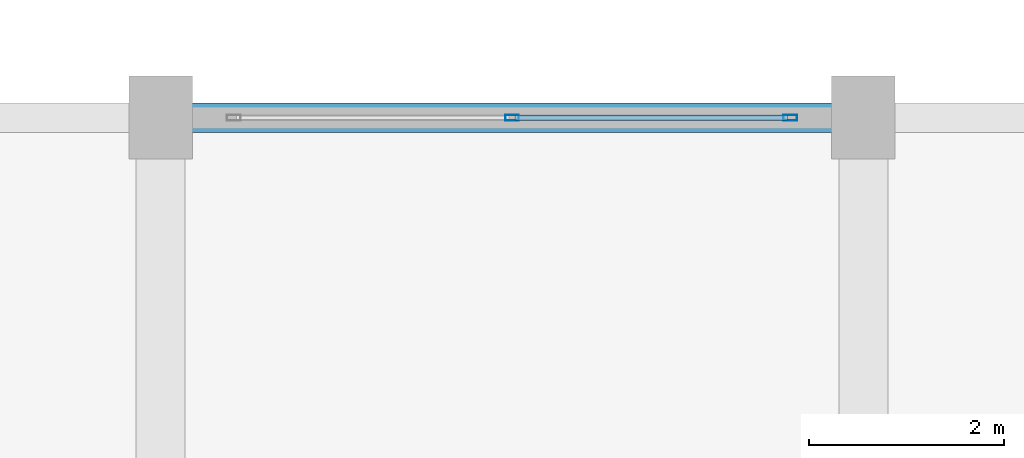
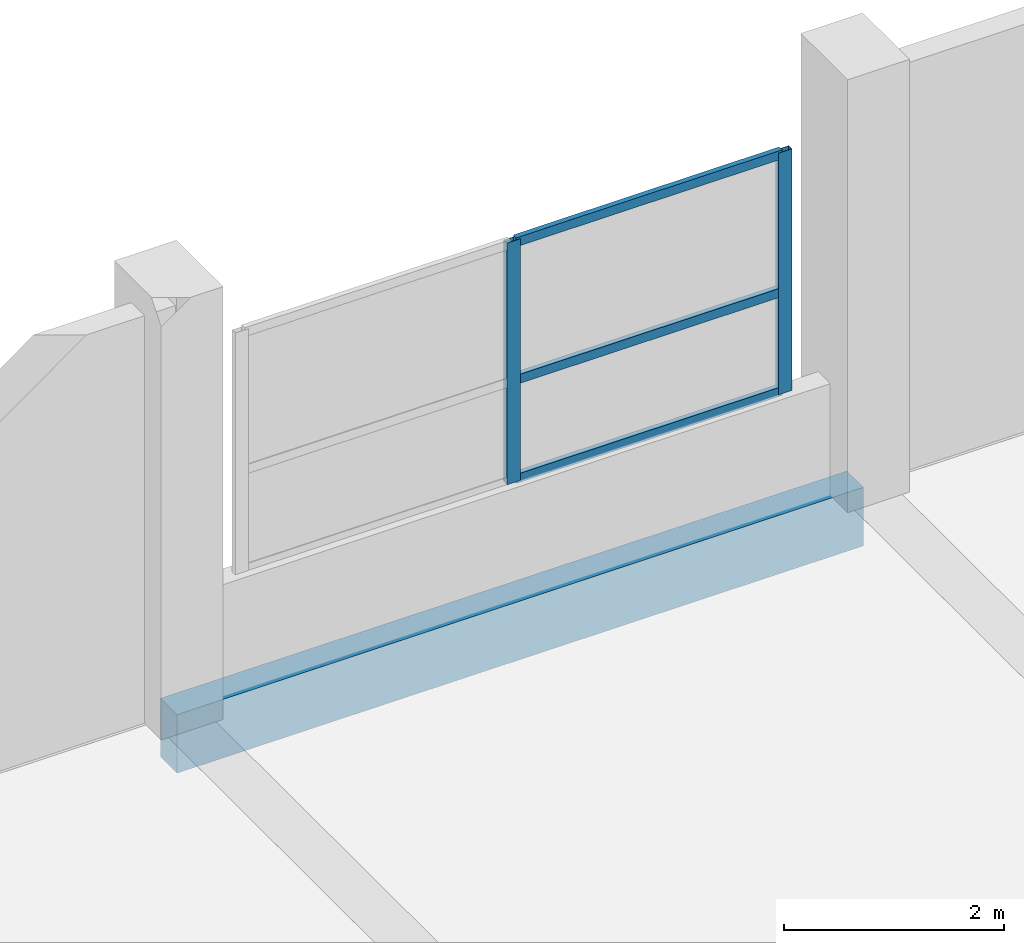
# One storey, part 144 of 181: 5 members, 1 beam, 1 element without a shape of its own.
"""IFC4 building model written with IfcOpenShell, lengths in metres."""

from ifc_helpers import new_model, si_unit, direction, frame, origin, origin_2d, place, context, subcontext, project, spatial, rectangle, hollow_rectangle, extrude, material, layer, layer_set, material_profile, profile_set, type_object, element, aggregate, save


model = new_model("IFC4")

# Units and contexts
model_context = context("Model", 3, precision=1e-05, world=origin(), true_north=direction((0.0, 1.0)))
body_context = subcontext(model_context, "Body", "Model", "MODEL_VIEW")
ifc_project = project(units=[si_unit("LENGTHUNIT", "METRE"), si_unit("AREAUNIT", "SQUARE_METRE"), si_unit("VOLUMEUNIT", "CUBIC_METRE"), si_unit("PLANEANGLEUNIT", "RADIAN"), si_unit("MASSUNIT", "GRAM", prefix="KILO")], contexts=[model_context])

# Site, building, storey
site_placement = place(None, origin())
site = spatial("IfcSite", under=ifc_project, at=site_placement, CompositionType="ELEMENT")
building_placement = place(site_placement, origin())
building = spatial("IfcBuilding", under=site, at=building_placement, Name="Seraya Terrace Polytechnic", CompositionType="ELEMENT")
storey_placement = place(building_placement, frame((0.0, 0.0, 4.800048828125)))
storey = spatial("IfcBuildingStorey", under=building, at=storey_placement, Name="L01", CompositionType="ELEMENT", Elevation=4.800048828125)

# Curtain wall, members
ifc_material_1 = material(Name="Anodised aluminium EN AW-6063 T6", Category="aluminium")
ifc_layer = layer(ifc_material_1, 0.179931640625, Name="CW-18")
ifc_layer_set = layer_set([ifc_layer], Name="Anodised aluminium EN AW-6063 T6")
curtain_wall_type = type_object("IfcCurtainWallType", Name="CW-18", PredefinedType="NOTDEFINED", material=ifc_layer_set)
curtain_wall_placement = place(storey_placement, origin())
curtain_wall = element("IfcCurtainWall", 1, at=curtain_wall_placement, inside=storey, type_object=curtain_wall_type, Name="Unitised curtain wall CW-18 (CW-L01-018)", PredefinedType="NOTDEFINED")
ifc_material_profile_1 = material_profile(ifc_material_1, hollow_rectangle(XDim=0.06005859375, YDim=0.139892578125, WallThickness=0.00341796875, at=origin_2d()), Name="RHS 140x60x3.5")
ifc_profile_set_1 = profile_set([ifc_material_profile_1], Name="Anodised aluminium EN AW-6063 T6")
member_type_1 = type_object("IfcMemberType", Name="CWM-03", PredefinedType="MULLION", material=ifc_profile_set_1)
member_1_placement = place(storey_placement, frame((147.60009765625, 115.199951171875, 1.239990234375), z_axis=(0.0, 0.0, 1.0), x_axis=(0.0, 1.0, 0.0)))
member_1 = element("IfcMember", 2, at=member_1_placement, type_object=member_type_1, Name="CW-18 mullion 2", PredefinedType="MULLION", context=body_context, shape_type="SweptSolid", body=[
    extrude(hollow_rectangle(XDim=0.06005859375, YDim=0.139892578125, WallThickness=0.00341796875, at=origin_2d()), origin(), (0.0, 0.0, 1.0), 2.679931640625),
])
member_2_placement = place(storey_placement, frame((150.449951171875, 115.199951171875, 1.239990234375), z_axis=(0.0, 0.0, 1.0), x_axis=(0.0, 1.0, 0.0)))
member_2 = element("IfcMember", 3, at=member_2_placement, type_object=member_type_1, Name="CW-18 mullion 3", PredefinedType="MULLION", context=body_context, shape_type="SweptSolid", body=[
    extrude(hollow_rectangle(XDim=0.06005859375, YDim=0.139892578125, WallThickness=0.00341796875, at=origin_2d()), origin(), (0.0, 0.0, 1.0), 2.679931640625),
])
ifc_material_profile_2 = material_profile(ifc_material_1, hollow_rectangle(XDim=0.054931640625, YDim=0.10009765625, WallThickness=0.0029296875, at=origin_2d()), Name="RHS 100x55x3.0")
ifc_profile_set_2 = profile_set([ifc_material_profile_2], Name="Anodised aluminium EN AW-6063 T6")
member_type_2 = type_object("IfcMemberType", Name="CWT-03", PredefinedType="USERDEFINED", material=ifc_profile_set_2)
member_3_placement = place(storey_placement, frame((147.6298828125, 115.199951171875, 1.267333984375), z_axis=(1.0, 0.0, 0.0), x_axis=(0.0, 1.0, 0.0)))
member_3 = element("IfcMember", 4, at=member_3_placement, type_object=member_type_2, Name="CW-18 transom 2.1", ObjectType="TRANSOM", PredefinedType="USERDEFINED", context=body_context, shape_type="SweptSolid", body=[
    extrude(hollow_rectangle(XDim=0.054931640625, YDim=0.10009765625, WallThickness=0.0029296875, at=origin_2d()), origin(), (0.0, 0.0, 1.0), 2.7900390625),
])
member_4_placement = place(storey_placement, frame((147.6298828125, 115.199951171875, 2.365478515625), z_axis=(1.0, 0.0, 0.0), x_axis=(0.0, 1.0, 0.0)))
member_4 = element("IfcMember", 5, at=member_4_placement, type_object=member_type_2, Name="CW-18 transom 2.2", ObjectType="TRANSOM", PredefinedType="USERDEFINED", context=body_context, shape_type="SweptSolid", body=[
    extrude(hollow_rectangle(XDim=0.054931640625, YDim=0.10009765625, WallThickness=0.0029296875, at=origin_2d()), origin(), (0.0, 0.0, 1.0), 2.7900390625),
])
member_5_placement = place(storey_placement, frame((147.6298828125, 115.199951171875, 3.892333984375), z_axis=(1.0, 0.0, 0.0), x_axis=(0.0, 1.0, 0.0)))
member_5 = element("IfcMember", 6, at=member_5_placement, type_object=member_type_2, Name="CW-18 transom 2.3", ObjectType="TRANSOM", PredefinedType="USERDEFINED", context=body_context, shape_type="SweptSolid", body=[
    extrude(hollow_rectangle(XDim=0.054931640625, YDim=0.10009765625, WallThickness=0.0029296875, at=origin_2d()), origin(), (0.0, 0.0, 1.0), 2.7900390625),
])
aggregate(curtain_wall, [member_1, member_2, member_3, member_4, member_5])

# Beam
ifc_material_2 = material(Name="Concrete C40/50", Category="concrete")
ifc_material_profile_3 = material_profile(ifc_material_2, rectangle(XDim=0.300048828125, YDim=0.64990234375, at=origin_2d()), Name="RC 300x650")
ifc_profile_set_3 = profile_set([ifc_material_profile_3], Name="Concrete C40/50")
beam_type = type_object("IfcBeamType", Name="SP-01", PredefinedType="SPANDREL", material=ifc_profile_set_3)
beam_placement = place(storey_placement, frame((144.0, 115.199951171875, -0.324951171875), z_axis=(1.0, 0.0, 0.0), x_axis=(0.0, 1.0, 0.0)))
element("IfcBeam", 7, at=beam_placement, inside=storey, type_object=beam_type, Name="Beam SP-01 L01 X (144.0..151.2, 115.2)", PredefinedType="SPANDREL", context=body_context, shape_type="SweptSolid", body=[
    extrude(rectangle(XDim=0.300048828125, YDim=0.64990234375, at=origin_2d()), origin(), (0.0, 0.0, 1.0), 7.199951171875),
])

save(model, "model.ifc")
